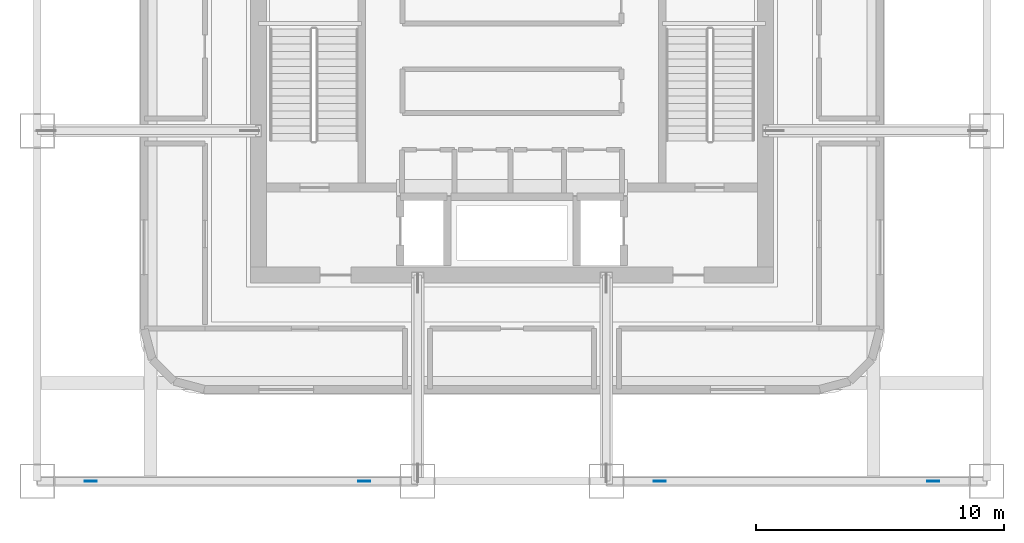
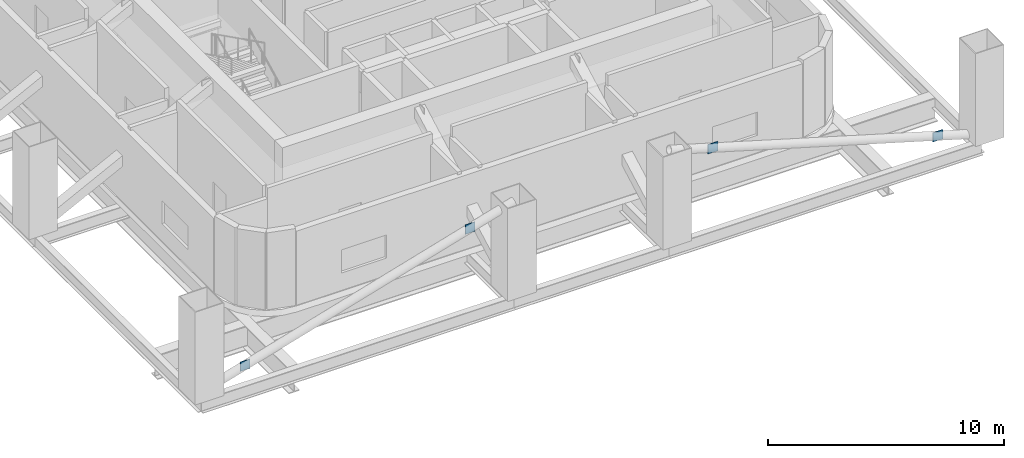
# One storey, part 2 of 9: 4 plates.
"""IFC4 building model written with IfcOpenShell, lengths in metres."""

from ifc_helpers import new_model, si_unit, direction, frame, origin, origin_2d, place, context, subcontext, project, spatial, rectangle, extrude, material, layer, layer_set, type_object, element, save


model = new_model("IFC4")

# Units and contexts
model_context = context("Model", 3, precision=1e-05, world=origin(), true_north=direction((0.0, 1.0)))
body_context = subcontext(model_context, "Body", "Model", "MODEL_VIEW")
ifc_project = project(units=[si_unit("LENGTHUNIT", "METRE"), si_unit("AREAUNIT", "SQUARE_METRE"), si_unit("VOLUMEUNIT", "CUBIC_METRE"), si_unit("PLANEANGLEUNIT", "RADIAN"), si_unit("MASSUNIT", "GRAM", prefix="KILO")], contexts=[model_context])

# Site, building, storey
site_placement = place(None, origin())
site = spatial("IfcSite", under=ifc_project, at=site_placement, CompositionType="ELEMENT")
building_placement = place(site_placement, origin())
building = spatial("IfcBuilding", under=site, at=building_placement, Name="Punatoya Terracotta Tower", CompositionType="ELEMENT")
storey_placement = place(building_placement, frame((0.0, 0.0, 130.199951171875)))
storey = spatial("IfcBuildingStorey", under=building, at=storey_placement, Name="L30", CompositionType="ELEMENT", Elevation=130.199951171875)

# Plates
ifc_material = material(Name="Steel S460", Category="steel")
ifc_layer = layer(ifc_material, 0.031982421875)
ifc_layer_set = layer_set([ifc_layer], Name="Steel S460")
plate_type = type_object("IfcPlateType", Name="PLT-END-32", PredefinedType="USERDEFINED", material=ifc_layer_set)
for number, where, z_axis, x_axis, name in (
    (1, (-16.9580078125, -17.5, 0.41015625), (0.0, 0.0, 1.0), (1.0, 0.0, 0.0), "L30 Ring Strut NST-1 End Plate 1"),
    (2, (-5.94189453125, -17.5, 3.650146484375), (0.0, 0.0, 1.0), (1.0, 0.0, 0.0), "L30 Ring Strut NST-1 End Plate 2"),
    (3, (5.94189453125, -17.5, 3.650146484375), (0.0, 0.0, 1.0), (1.0, 0.0, 0.0), "L30 Ring Strut NST-2 End Plate 1"),
    (4, (16.9580078125, -17.5, 0.41015625), (0.0, 0.0, 1.0), (1.0, 0.0, 0.0), "L30 Ring Strut NST-2 End Plate 2"),
):
    element("IfcPlate", number, at=place(storey_placement, frame(where, z_axis=z_axis, x_axis=x_axis)), inside=storey, type_object=plate_type, Name=name, ObjectType="FLANGE_PLATE", PredefinedType="USERDEFINED", context=body_context, shape_type="SweptSolid", body=[
        extrude(rectangle(XDim=0.47998046875, YDim=0.031982421875, at=origin_2d()), origin(), (0.0, 0.0, 1.0), 0.47998046875),
    ])

save(model, "model.ifc")
